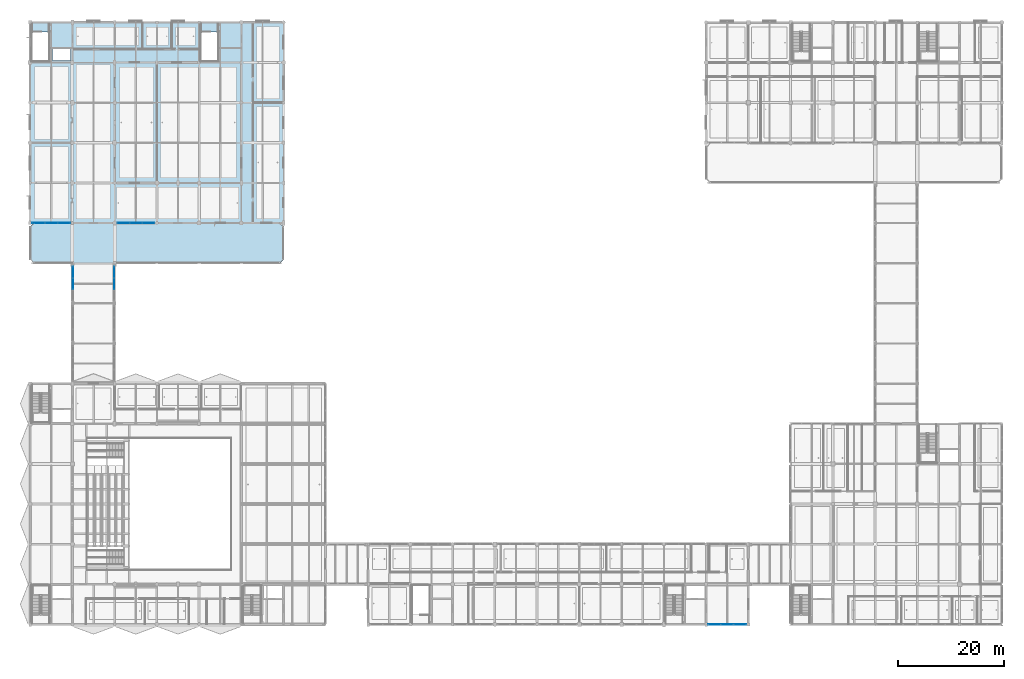
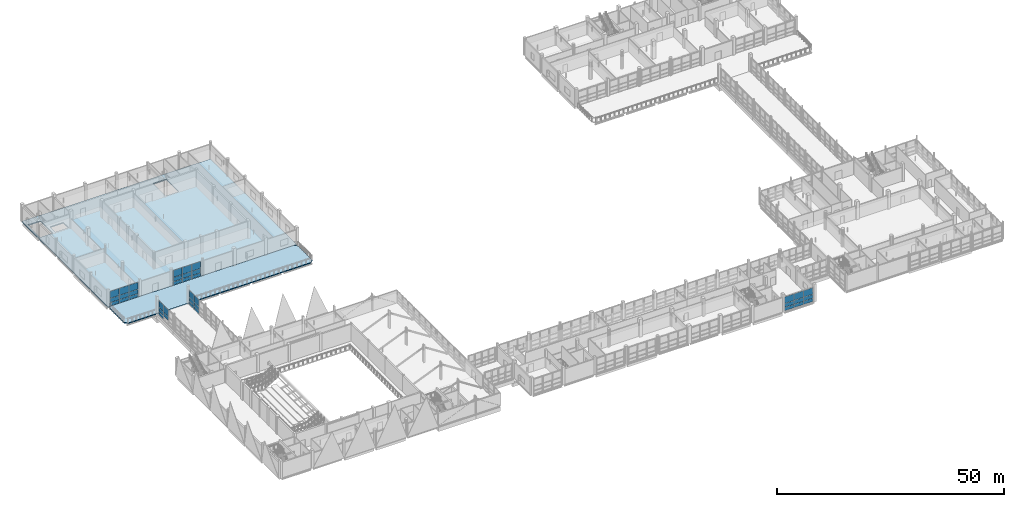
# One storey, part 76 of 141: 38 plates, 2 slabs, 5 elements without a shape of their own.
"""IFC4 building model written with IfcOpenShell, lengths in metres."""

import ifcopenshell
import ifcopenshell.guid

model = None  # the IFC model being written
_history = None  # IfcOwnerHistory: only IFC2X3 demands one
_inside = {}  # id of a spatial element -> (the spatial element, [elements in it])
_under = {}  # id of a project, library or spatial element -> (it, [spatial elements below it])
_declared = {}  # id of a project -> (the project, [libraries it declares])
_typed = {}  # id of a type object -> (the type object, [elements of that type])
_made_of = {}  # id of a material, layer set ... -> (it, [elements and type objects made of it])


def new_model(schema):
    """Start an empty IFC model of exactly this schema.

    Asked for "IFC4X3", IfcOpenShell would pick the latest addendum, in which some entities
    have other attributes; the version numbers below select the first issue.
    IFC2X3 requires an IfcOwnerHistory on every rooted entity: one is made here for all.
    """
    global model, _history
    if schema == "IFC4X3":
        model = ifcopenshell.file(schema_version=(4, 3, 0, 0))
    else:
        model = ifcopenshell.file(schema=schema)
    _inside.clear()
    _under.clear()
    _declared.clear()
    _typed.clear()
    _made_of.clear()
    _history = None
    if model.schema == "IFC2X3":
        org = make("IfcOrganization", Name="unknown")
        user = make(
            "IfcPersonAndOrganization",
            ThePerson=make("IfcPerson", FamilyName="unknown"),
            TheOrganization=org,
        )
        app = make(
            "IfcApplication",
            ApplicationDeveloper=org,
            Version="unknown",
            ApplicationFullName="unknown",
            ApplicationIdentifier="unknown",
        )
        _history = make(
            "IfcOwnerHistory",
            OwningUser=user,
            OwningApplication=app,
            ChangeAction="ADDED",
            CreationDate=0,
        )
    return model


def make(cls, **values):
    """One entity of the class cls with the attributes given. An attribute that is None is left unset."""
    return model.create_entity(
        cls, **{name: value for name, value in values.items() if value is not None}
    )


def rooted(cls, **values):
    """An entity with a GlobalId (a new one), such as an element, a storey or a relation."""
    return make(cls, GlobalId=ifcopenshell.guid.new(), OwnerHistory=_history, **values)


def si_unit(unit_type, name, prefix=None):
    """IfcSIUnit, for example si_unit("LENGTHUNIT", "METRE", prefix="MILLI")."""
    return make("IfcSIUnit", UnitType=unit_type, Prefix=prefix, Name=name)


def assignment(units):
    """IfcUnitAssignment: the units of a project."""
    return None if units is None else make("IfcUnitAssignment", Units=units)


def point(xyz):
    """IfcCartesianPoint."""
    return None if xyz is None else make("IfcCartesianPoint", Coordinates=xyz)


def direction(xyz):
    """IfcDirection."""
    return None if xyz is None else make("IfcDirection", DirectionRatios=xyz)


def frame(location, z_axis=None, x_axis=None):
    """IfcAxis2Placement3D, a coordinate frame: its origin and axes. An axis left out is left unset."""
    return make(
        "IfcAxis2Placement3D",
        Location=point(location),
        Axis=direction(z_axis),
        RefDirection=direction(x_axis),
    )


def frame_2d(location, x_axis=None):
    """IfcAxis2Placement2D, a coordinate frame in the plane: its origin and x axis."""
    return make(
        "IfcAxis2Placement2D", Location=point(location), RefDirection=direction(x_axis)
    )


def origin():
    """The frame at (0, 0, 0) with its axes left unset."""
    return frame((0.0, 0.0, 0.0))


def origin_2d():
    """The frame at (0, 0) in the plane with its x axis left unset."""
    return frame_2d((0.0, 0.0))


def place(relative_to, where):
    """IfcLocalPlacement: puts the frame where relative to a parent placement (None: the world)."""
    return make(
        "IfcLocalPlacement", PlacementRelTo=relative_to, RelativePlacement=where
    )


def context(
    kind, dimensions, precision=None, world=None, true_north=None, identifier=None
):
    """IfcGeometricRepresentationContext, for example the 3D "Model" context."""
    return make(
        "IfcGeometricRepresentationContext",
        ContextIdentifier=identifier,
        ContextType=kind,
        CoordinateSpaceDimension=dimensions,
        Precision=precision,
        WorldCoordinateSystem=world,
        TrueNorth=true_north,
    )


def subcontext(parent, identifier, kind, view, scale=None):
    """IfcGeometricRepresentationSubContext, for example "Body" below "Model"."""
    return make(
        "IfcGeometricRepresentationSubContext",
        ContextIdentifier=identifier,
        ContextType=kind,
        ParentContext=parent,
        TargetScale=scale,
        TargetView=view,
    )


def project(units=None, contexts=None):
    """IfcProject with its units and contexts."""
    return rooted(
        "IfcProject",
        Name="project",
        RepresentationContexts=contexts,
        UnitsInContext=assignment(units),
    )


def spatial(cls, under=None, at=None, **own):
    """A site, building, storey or space (cls), placed at a placement, below another one or the project."""
    s = rooted(cls, ObjectPlacement=at, **own)
    if under is not None:
        _under.setdefault(under.id(), (under, []))[1].append(s)
    return s


def polyline(points):
    """IfcPolyline through the points."""
    return make("IfcPolyline", Points=[point(p) for p in points])


def profile(cls, at=None, kind="AREA", **sizes):
    """A parametric profile (cls). Its sizes go by their IFC names, for example OverallWidth=200.0."""
    return make(cls, ProfileType=kind, Position=at, **sizes)


def rectangle(**sizes):
    """IfcRectangleProfileDef."""
    return profile("IfcRectangleProfileDef", **sizes)


def outline(outer, holes=None, kind="AREA"):
    """IfcArbitraryClosedProfileDef: a profile drawn as a closed curve; with holes, ...WithVoids."""
    if holes is None:
        return make("IfcArbitraryClosedProfileDef", ProfileType=kind, OuterCurve=outer)
    return make(
        "IfcArbitraryProfileDefWithVoids",
        ProfileType=kind,
        OuterCurve=outer,
        InnerCurves=holes,
    )


def extrude(swept, where, along, depth):
    """IfcExtrudedAreaSolid: the profile swept, set in the frame where, extruded along a direction by depth."""
    return make(
        "IfcExtrudedAreaSolid",
        SweptArea=swept,
        Position=where,
        ExtrudedDirection=direction(along),
        Depth=depth,
    )


def shape(context_of_items, identifier, shape_type, items):
    """IfcShapeRepresentation: the items that make up one representation, for example the "Body"."""
    return make(
        "IfcShapeRepresentation",
        ContextOfItems=context_of_items,
        RepresentationIdentifier=identifier,
        RepresentationType=shape_type,
        Items=items,
    )


def material(Name=None, Category=None):
    """IfcMaterial."""
    return make("IfcMaterial", Name=Name, Category=Category)


def layer(
    of_material, thickness, ventilated=None, Name=None, Category=None, Priority=None
):
    """IfcMaterialLayer: one layer of a wall or slab, of a material (None: an air gap)."""
    return make(
        "IfcMaterialLayer",
        Material=of_material,
        LayerThickness=thickness,
        IsVentilated=ventilated,
        Name=Name,
        Category=Category,
        Priority=Priority,
    )


def layer_set(layers, Name=None):
    """IfcMaterialLayerSet."""
    return make("IfcMaterialLayerSet", MaterialLayers=layers, LayerSetName=Name)


def made_of(thing, what):
    """Note that an element or type object is made of a material, layer set ...; save() writes the relation."""
    if what is not None:
        _made_of.setdefault(what.id(), (what, []))[1].append(thing)
    return thing


def type_object(cls, material=None, **own):
    """A type object (cls), such as IfcWallType, which elements share."""
    return made_of(rooted(cls, **own), material)


def element(
    cls,
    number,
    at=None,
    inside=None,
    cuts=None,
    type_object=None,
    material=None,
    context=None,
    identifier="Body",
    shape_type=None,
    held_by="IfcProductDefinitionShape",
    body=None,
    shapes=None,
    **own,
):
    """One element of the class cls, such as IfcWall. Its Tag is "e" and its number.

    at: its placement. inside: the storey or other place that contains it. cuts: it is an
    opening in that element (IfcRelVoidsElement). A single representation is given by context,
    identifier, shape_type and body (its items); several are given by shapes. held_by: the class
    of the entity that holds the representations. save() writes the other relations.
    """
    e = rooted(cls, Tag="e%d" % number, ObjectPlacement=at, **own)
    if body is not None:
        shapes = [shape(context, identifier, shape_type, body)]
    if shapes is not None:
        e.Representation = make(held_by, Representations=shapes)
    if inside is not None:
        _inside.setdefault(inside.id(), (inside, []))[1].append(e)
    if cuts is not None:
        rooted(
            "IfcRelVoidsElement", RelatingBuildingElement=cuts, RelatedOpeningElement=e
        )
    if type_object is not None:
        _typed.setdefault(type_object.id(), (type_object, []))[1].append(e)
    return made_of(e, material)


def aggregate(whole, parts):
    """IfcRelAggregates: a whole, such as a stair, and the parts it consists of."""
    return rooted("IfcRelAggregates", RelatingObject=whole, RelatedObjects=parts)


def save(model, path):
    """Write the relations noted so far, then the file.

    IfcRelAggregates (storeys below a building ...), IfcRelContainedInSpatialStructure (elements
    in a storey), IfcRelDefinesByType, IfcRelAssociatesMaterial and IfcRelDeclares: one each for
    every whole, place, type object, material and project.
    """
    for whole, parts in _under.values():
        aggregate(whole, parts)
    for where, things in _inside.values():
        rooted(
            "IfcRelContainedInSpatialStructure",
            RelatedElements=things,
            RelatingStructure=where,
        )
    for kind, things in _typed.values():
        rooted("IfcRelDefinesByType", RelatedObjects=things, RelatingType=kind)
    for what, things in _made_of.values():
        rooted("IfcRelAssociatesMaterial", RelatedObjects=things, RelatingMaterial=what)
    for by, libraries in _declared.values():
        rooted("IfcRelDeclares", RelatingContext=by, RelatedDefinitions=libraries)
    model.write(path)


model = new_model("IFC4")

# Units and contexts
model_context = context("Model", 3, precision=1e-05, world=origin(), true_north=direction((0.0, 1.0)))
body_context = subcontext(model_context, "Body", "Model", "MODEL_VIEW")
ifc_project = project(units=[si_unit("LENGTHUNIT", "METRE"), si_unit("AREAUNIT", "SQUARE_METRE"), si_unit("VOLUMEUNIT", "CUBIC_METRE"), si_unit("PLANEANGLEUNIT", "RADIAN"), si_unit("MASSUNIT", "GRAM", prefix="KILO")], contexts=[model_context])

# Site, building, storey
site_placement = place(None, origin())
site = spatial("IfcSite", under=ifc_project, at=site_placement, CompositionType="ELEMENT")
building_placement = place(site_placement, origin())
building = spatial("IfcBuilding", under=site, at=building_placement, Name="Khelvaren Railside Concert Hall", CompositionType="ELEMENT")
storey_placement = place(building_placement, frame((0.0, 0.0, 10.199951171875)))
storey = spatial("IfcBuildingStorey", under=building, at=storey_placement, Name="L02", CompositionType="ELEMENT", Elevation=10.199951171875)

# Curtain wall, plates
ifc_material_1 = material(Name="Double-glazed clear foyer glass", Category="glass")
curtain_wall_type_1 = type_object("IfcCurtainWallType", Name="CW68", PredefinedType="USERDEFINED", material=ifc_material_1)
curtain_wall_1_placement = place(storey_placement, origin())
curtain_wall_1 = element("IfcCurtainWall", 1, at=curtain_wall_1_placement, inside=storey, type_object=curtain_wall_type_1, Name="Unitised Curtain Wall CW-V3-L02-S-128", ObjectType="UNITISED CURTAIN WALL", PredefinedType="USERDEFINED")
ifc_layer_1 = layer(ifc_material_1, 0.0439453125)
ifc_layer_set_1 = layer_set([ifc_layer_1], Name="Double-glazed clear foyer glass")
plate_type_1 = type_object("IfcPlateType", Name="CWP33", PredefinedType="CURTAIN_PANEL", material=ifc_layer_set_1)
plate_1_placement = place(storey_placement, frame((134.391357421875, 0.0, 0.06494140625), z_axis=(0.0, 0.0, 1.0), x_axis=(-1.0, 0.0, 0.0)))
plate_1 = element("IfcPlate", 2, at=plate_1_placement, type_object=plate_type_1, Name="CW68 panel 1.1", PredefinedType="CURTAIN_PANEL", context=body_context, shape_type="SweptSolid", body=[
    extrude(rectangle(XDim=2.322509765625, YDim=0.0439453125, at=origin_2d()), origin(), (0.0, 0.0, 1.0), 0.8525390625),
])
plate_2_placement = place(storey_placement, frame((134.391357421875, 0.0, 0.982666015625), z_axis=(0.0, 0.0, 1.0), x_axis=(-1.0, 0.0, 0.0)))
plate_2 = element("IfcPlate", 3, at=plate_2_placement, type_object=plate_type_1, Name="CW68 panel 1.2", PredefinedType="CURTAIN_PANEL", context=body_context, shape_type="SweptSolid", body=[
    extrude(rectangle(XDim=2.322509765625, YDim=0.0439453125, at=origin_2d()), origin(), (0.0, 0.0, 1.0), 0.9921875),
])
plate_3_placement = place(storey_placement, frame((134.391357421875, 0.0, 2.039794921875), z_axis=(0.0, 0.0, 1.0), x_axis=(-1.0, 0.0, 0.0)))
plate_3 = element("IfcPlate", 4, at=plate_3_placement, type_object=plate_type_1, Name="CW68 panel 1.3", PredefinedType="CURTAIN_PANEL", context=body_context, shape_type="SweptSolid", body=[
    extrude(rectangle(XDim=2.322509765625, YDim=0.0439453125, at=origin_2d()), origin(), (0.0, 0.0, 1.0), 1.75537109375),
])
plate_4_placement = place(storey_placement, frame((131.97509765625, 0.0, 0.06494140625), z_axis=(0.0, 0.0, 1.0), x_axis=(-1.0, 0.0, 0.0)))
plate_4 = element("IfcPlate", 5, at=plate_4_placement, type_object=plate_type_1, Name="CW68 panel 2.1", PredefinedType="CURTAIN_PANEL", context=body_context, shape_type="SweptSolid", body=[
    extrude(rectangle(XDim=2.360107421875, YDim=0.0439453125, at=origin_2d()), origin(), (0.0, 0.0, 1.0), 0.8525390625),
])
plate_5_placement = place(storey_placement, frame((131.97509765625, 0.0, 0.982666015625), z_axis=(0.0, 0.0, 1.0), x_axis=(-1.0, 0.0, 0.0)))
plate_5 = element("IfcPlate", 6, at=plate_5_placement, type_object=plate_type_1, Name="CW68 panel 2.2", PredefinedType="CURTAIN_PANEL", context=body_context, shape_type="SweptSolid", body=[
    extrude(rectangle(XDim=2.360107421875, YDim=0.0439453125, at=origin_2d()), origin(), (0.0, 0.0, 1.0), 0.9921875),
])
plate_6_placement = place(storey_placement, frame((131.97509765625, 0.0, 2.039794921875), z_axis=(0.0, 0.0, 1.0), x_axis=(-1.0, 0.0, 0.0)))
plate_6 = element("IfcPlate", 7, at=plate_6_placement, type_object=plate_type_1, Name="CW68 panel 2.3", PredefinedType="CURTAIN_PANEL", context=body_context, shape_type="SweptSolid", body=[
    extrude(rectangle(XDim=2.360107421875, YDim=0.0439453125, at=origin_2d()), origin(), (0.0, 0.0, 1.0), 1.75537109375),
])
plate_7_placement = place(storey_placement, frame((129.558837890625, 0.0, 0.06494140625), z_axis=(0.0, 0.0, 1.0), x_axis=(-1.0, 0.0, 0.0)))
plate_7 = element("IfcPlate", 8, at=plate_7_placement, type_object=plate_type_1, Name="CW68 panel 3.1", PredefinedType="CURTAIN_PANEL", context=body_context, shape_type="SweptSolid", body=[
    extrude(rectangle(XDim=2.322509765625, YDim=0.0439453125, at=origin_2d()), origin(), (0.0, 0.0, 1.0), 0.8525390625),
])
plate_8_placement = place(storey_placement, frame((129.558837890625, 0.0, 0.982666015625), z_axis=(0.0, 0.0, 1.0), x_axis=(-1.0, 0.0, 0.0)))
plate_8 = element("IfcPlate", 9, at=plate_8_placement, type_object=plate_type_1, Name="CW68 panel 3.2", PredefinedType="CURTAIN_PANEL", context=body_context, shape_type="SweptSolid", body=[
    extrude(rectangle(XDim=2.322509765625, YDim=0.0439453125, at=origin_2d()), origin(), (0.0, 0.0, 1.0), 0.9921875),
])
plate_9_placement = place(storey_placement, frame((129.558837890625, 0.0, 2.039794921875), z_axis=(0.0, 0.0, 1.0), x_axis=(-1.0, 0.0, 0.0)))
plate_9 = element("IfcPlate", 10, at=plate_9_placement, type_object=plate_type_1, Name="CW68 panel 3.3", PredefinedType="CURTAIN_PANEL", context=body_context, shape_type="SweptSolid", body=[
    extrude(rectangle(XDim=2.322509765625, YDim=0.0439453125, at=origin_2d()), origin(), (0.0, 0.0, 1.0), 1.75537109375),
])
aggregate(curtain_wall_1, [plate_1, plate_2, plate_3, plate_4, plate_5, plate_6, plate_7, plate_8, plate_9])

curtain_wall_type_2 = type_object("IfcCurtainWallType", Name="CW83", PredefinedType="USERDEFINED", material=ifc_material_1)
curtain_wall_2_placement = place(storey_placement, origin())
curtain_wall_2 = element("IfcCurtainWall", 11, at=curtain_wall_2_placement, inside=storey, type_object=curtain_wall_type_2, Name="Unitised Curtain Wall CW-V4-L02-S-0", ObjectType="UNITISED CURTAIN WALL", PredefinedType="USERDEFINED")
plate_10_placement = place(storey_placement, frame((6.441162109375, 76.0, 0.06494140625), z_axis=(0.0, 0.0, 1.0), x_axis=(-1.0, 0.0, 0.0)))
plate_10 = element("IfcPlate", 12, at=plate_10_placement, type_object=plate_type_1, Name="CW83 panel 1.1", PredefinedType="CURTAIN_PANEL", context=body_context, shape_type="SweptSolid", body=[
    extrude(rectangle(XDim=2.322509765625, YDim=0.0439453125, at=origin_2d()), origin(), (0.0, 0.0, 1.0), 0.8525390625),
])
plate_11_placement = place(storey_placement, frame((6.441162109375, 76.0, 0.982666015625), z_axis=(0.0, 0.0, 1.0), x_axis=(-1.0, 0.0, 0.0)))
plate_11 = element("IfcPlate", 13, at=plate_11_placement, type_object=plate_type_1, Name="CW83 panel 1.2", PredefinedType="CURTAIN_PANEL", context=body_context, shape_type="SweptSolid", body=[
    extrude(rectangle(XDim=2.322509765625, YDim=0.0439453125, at=origin_2d()), origin(), (0.0, 0.0, 1.0), 1.09619140625),
])
plate_12_placement = place(storey_placement, frame((6.441162109375, 76.0, 2.1435546875), z_axis=(0.0, 0.0, 1.0), x_axis=(-1.0, 0.0, 0.0)))
plate_12 = element("IfcPlate", 14, at=plate_12_placement, type_object=plate_type_1, Name="CW83 panel 1.3", PredefinedType="CURTAIN_PANEL", context=body_context, shape_type="SweptSolid", body=[
    extrude(rectangle(XDim=2.322509765625, YDim=0.0439453125, at=origin_2d()), origin(), (0.0, 0.0, 1.0), 1.851318359375),
])
plate_13_placement = place(storey_placement, frame((4.02490234375, 76.0, 0.06494140625), z_axis=(0.0, 0.0, 1.0), x_axis=(-1.0, 0.0, 0.0)))
plate_13 = element("IfcPlate", 15, at=plate_13_placement, type_object=plate_type_1, Name="CW83 panel 2.1", PredefinedType="CURTAIN_PANEL", context=body_context, shape_type="SweptSolid", body=[
    extrude(rectangle(XDim=2.360107421875, YDim=0.0439453125, at=origin_2d()), origin(), (0.0, 0.0, 1.0), 0.8525390625),
])
plate_14_placement = place(storey_placement, frame((4.02490234375, 76.0, 0.982666015625), z_axis=(0.0, 0.0, 1.0), x_axis=(-1.0, 0.0, 0.0)))
plate_14 = element("IfcPlate", 16, at=plate_14_placement, type_object=plate_type_1, Name="CW83 panel 2.2", PredefinedType="CURTAIN_PANEL", context=body_context, shape_type="SweptSolid", body=[
    extrude(rectangle(XDim=2.360107421875, YDim=0.0439453125, at=origin_2d()), origin(), (0.0, 0.0, 1.0), 1.09619140625),
])
plate_15_placement = place(storey_placement, frame((4.02490234375, 76.0, 2.1435546875), z_axis=(0.0, 0.0, 1.0), x_axis=(-1.0, 0.0, 0.0)))
plate_15 = element("IfcPlate", 17, at=plate_15_placement, type_object=plate_type_1, Name="CW83 panel 2.3", PredefinedType="CURTAIN_PANEL", context=body_context, shape_type="SweptSolid", body=[
    extrude(rectangle(XDim=2.360107421875, YDim=0.0439453125, at=origin_2d()), origin(), (0.0, 0.0, 1.0), 1.851318359375),
])
plate_16_placement = place(storey_placement, frame((1.608642578125, 76.0, 0.06494140625), z_axis=(0.0, 0.0, 1.0), x_axis=(-1.0, 0.0, 0.0)))
plate_16 = element("IfcPlate", 18, at=plate_16_placement, type_object=plate_type_1, Name="CW83 panel 3.1", PredefinedType="CURTAIN_PANEL", context=body_context, shape_type="SweptSolid", body=[
    extrude(rectangle(XDim=2.322509765625, YDim=0.0439453125, at=origin_2d()), origin(), (0.0, 0.0, 1.0), 0.8525390625),
])
plate_17_placement = place(storey_placement, frame((1.608642578125, 76.0, 0.982666015625), z_axis=(0.0, 0.0, 1.0), x_axis=(-1.0, 0.0, 0.0)))
plate_17 = element("IfcPlate", 19, at=plate_17_placement, type_object=plate_type_1, Name="CW83 panel 3.2", PredefinedType="CURTAIN_PANEL", context=body_context, shape_type="SweptSolid", body=[
    extrude(rectangle(XDim=2.322509765625, YDim=0.0439453125, at=origin_2d()), origin(), (0.0, 0.0, 1.0), 1.09619140625),
])
plate_18_placement = place(storey_placement, frame((1.608642578125, 76.0, 2.1435546875), z_axis=(0.0, 0.0, 1.0), x_axis=(-1.0, 0.0, 0.0)))
plate_18 = element("IfcPlate", 20, at=plate_18_placement, type_object=plate_type_1, Name="CW83 panel 3.3", PredefinedType="CURTAIN_PANEL", context=body_context, shape_type="SweptSolid", body=[
    extrude(rectangle(XDim=2.322509765625, YDim=0.0439453125, at=origin_2d()), origin(), (0.0, 0.0, 1.0), 1.851318359375),
])
aggregate(curtain_wall_2, [plate_10, plate_11, plate_12, plate_13, plate_14, plate_15, plate_16, plate_17, plate_18])

curtain_wall_type_3 = type_object("IfcCurtainWallType", Name="CW64", PredefinedType="USERDEFINED", material=ifc_material_1)
curtain_wall_3_placement = place(storey_placement, origin())
curtain_wall_3 = element("IfcCurtainWall", 21, at=curtain_wall_3_placement, inside=storey, type_object=curtain_wall_type_3, Name="Unitised Curtain Wall CW-V4-L02-S-16", ObjectType="UNITISED CURTAIN WALL", PredefinedType="USERDEFINED")
plate_19_placement = place(storey_placement, frame((22.3955078125, 76.0, 0.06494140625), z_axis=(0.0, 0.0, 1.0), x_axis=(-1.0, 0.0, 0.0)))
plate_19 = element("IfcPlate", 22, at=plate_19_placement, type_object=plate_type_1, Name="CW64 panel 1.1", PredefinedType="CURTAIN_PANEL", context=body_context, shape_type="SweptSolid", body=[
    extrude(rectangle(XDim=2.26416015625, YDim=0.0439453125, at=origin_2d()), origin(), (0.0, 0.0, 1.0), 0.8525390625),
])
plate_20_placement = place(storey_placement, frame((22.3955078125, 76.0, 0.982666015625), z_axis=(0.0, 0.0, 1.0), x_axis=(-1.0, 0.0, 0.0)))
plate_20 = element("IfcPlate", 23, at=plate_20_placement, type_object=plate_type_1, Name="CW64 panel 1.2", PredefinedType="CURTAIN_PANEL", context=body_context, shape_type="SweptSolid", body=[
    extrude(rectangle(XDim=2.26416015625, YDim=0.0439453125, at=origin_2d()), origin(), (0.0, 0.0, 1.0), 1.09619140625),
])
plate_21_placement = place(storey_placement, frame((22.3955078125, 76.0, 2.1435546875), z_axis=(0.0, 0.0, 1.0), x_axis=(-1.0, 0.0, 0.0)))
plate_21 = element("IfcPlate", 24, at=plate_21_placement, type_object=plate_type_1, Name="CW64 panel 1.3", PredefinedType="CURTAIN_PANEL", context=body_context, shape_type="SweptSolid", body=[
    extrude(rectangle(XDim=2.26416015625, YDim=0.0439453125, at=origin_2d()), origin(), (0.0, 0.0, 1.0), 1.851318359375),
])
plate_22_placement = place(storey_placement, frame((20.03759765625, 76.0, 0.06494140625), z_axis=(0.0, 0.0, 1.0), x_axis=(-1.0, 0.0, 0.0)))
plate_22 = element("IfcPlate", 25, at=plate_22_placement, type_object=plate_type_1, Name="CW64 panel 2.1", PredefinedType="CURTAIN_PANEL", context=body_context, shape_type="SweptSolid", body=[
    extrude(rectangle(XDim=2.3017578125, YDim=0.0439453125, at=origin_2d()), origin(), (0.0, 0.0, 1.0), 0.8525390625),
])
plate_23_placement = place(storey_placement, frame((20.03759765625, 76.0, 0.982666015625), z_axis=(0.0, 0.0, 1.0), x_axis=(-1.0, 0.0, 0.0)))
plate_23 = element("IfcPlate", 26, at=plate_23_placement, type_object=plate_type_1, Name="CW64 panel 2.2", PredefinedType="CURTAIN_PANEL", context=body_context, shape_type="SweptSolid", body=[
    extrude(rectangle(XDim=2.3017578125, YDim=0.0439453125, at=origin_2d()), origin(), (0.0, 0.0, 1.0), 1.09619140625),
])
plate_24_placement = place(storey_placement, frame((20.03759765625, 76.0, 2.1435546875), z_axis=(0.0, 0.0, 1.0), x_axis=(-1.0, 0.0, 0.0)))
plate_24 = element("IfcPlate", 27, at=plate_24_placement, type_object=plate_type_1, Name="CW64 panel 2.3", PredefinedType="CURTAIN_PANEL", context=body_context, shape_type="SweptSolid", body=[
    extrude(rectangle(XDim=2.3017578125, YDim=0.0439453125, at=origin_2d()), origin(), (0.0, 0.0, 1.0), 1.851318359375),
])
plate_25_placement = place(storey_placement, frame((17.6796875, 76.0, 0.06494140625), z_axis=(0.0, 0.0, 1.0), x_axis=(-1.0, 0.0, 0.0)))
plate_25 = element("IfcPlate", 28, at=plate_25_placement, type_object=plate_type_1, Name="CW64 panel 3.1", PredefinedType="CURTAIN_PANEL", context=body_context, shape_type="SweptSolid", body=[
    extrude(rectangle(XDim=2.26416015625, YDim=0.0439453125, at=origin_2d()), origin(), (0.0, 0.0, 1.0), 0.8525390625),
])
plate_26_placement = place(storey_placement, frame((17.6796875, 76.0, 0.982666015625), z_axis=(0.0, 0.0, 1.0), x_axis=(-1.0, 0.0, 0.0)))
plate_26 = element("IfcPlate", 29, at=plate_26_placement, type_object=plate_type_1, Name="CW64 panel 3.2", PredefinedType="CURTAIN_PANEL", context=body_context, shape_type="SweptSolid", body=[
    extrude(rectangle(XDim=2.26416015625, YDim=0.0439453125, at=origin_2d()), origin(), (0.0, 0.0, 1.0), 1.09619140625),
])
plate_27_placement = place(storey_placement, frame((17.6796875, 76.0, 2.1435546875), z_axis=(0.0, 0.0, 1.0), x_axis=(-1.0, 0.0, 0.0)))
plate_27 = element("IfcPlate", 30, at=plate_27_placement, type_object=plate_type_1, Name="CW64 panel 3.3", PredefinedType="CURTAIN_PANEL", context=body_context, shape_type="SweptSolid", body=[
    extrude(rectangle(XDim=2.26416015625, YDim=0.0439453125, at=origin_2d()), origin(), (0.0, 0.0, 1.0), 1.851318359375),
])
aggregate(curtain_wall_3, [plate_19, plate_20, plate_21, plate_22, plate_23, plate_24, plate_25, plate_26, plate_27])

ifc_material_2 = material(Name="Acoustic laminated crystal facade glass", Category="glass")
curtain_wall_type_4 = type_object("IfcCurtainWallType", Name="CW78", PredefinedType="USERDEFINED", material=ifc_material_2)
curtain_wall_4_placement = place(storey_placement, origin())
curtain_wall_4 = element("IfcCurtainWall", 31, at=curtain_wall_4_placement, inside=storey, type_object=curtain_wall_type_4, Name="Unitised Curtain Wall CW-LB3-L02-W3", ObjectType="UNITISED CURTAIN WALL", PredefinedType="USERDEFINED")
ifc_layer_2 = layer(ifc_material_2, 0.0400390625)
ifc_layer_set_2 = layer_set([ifc_layer_2], Name="Acoustic laminated crystal facade glass")
plate_type_2 = type_object("IfcPlateType", Name="CWP77", PredefinedType="CURTAIN_PANEL", material=ifc_layer_set_2)
plate_28_placement = place(storey_placement, frame((8.10009765625, 64.52490234375, 0.992431640625), z_axis=(0.0, 0.0, 1.0), x_axis=(0.0, 1.0, 0.0)))
plate_28 = element("IfcPlate", 32, at=plate_28_placement, type_object=plate_type_2, Name="CW78 panel 2.2", PredefinedType="CURTAIN_PANEL", context=body_context, shape_type="SweptSolid", body=[
    extrude(rectangle(XDim=2.078369140625, YDim=0.0400390625, at=origin_2d()), origin(), (0.0, 0.0, 1.0), 1.03466796875),
])
plate_29_placement = place(storey_placement, frame((8.10009765625, 64.52490234375, 2.1123046875), z_axis=(0.0, 0.0, 1.0), x_axis=(0.0, 1.0, 0.0)))
plate_29 = element("IfcPlate", 33, at=plate_29_placement, type_object=plate_type_2, Name="CW78 panel 2.3", PredefinedType="CURTAIN_PANEL", context=body_context, shape_type="SweptSolid", body=[
    extrude(rectangle(XDim=2.078369140625, YDim=0.0400390625, at=origin_2d()), origin(), (0.0, 0.0, 1.0), 1.782958984375),
])
plate_30_placement = place(storey_placement, frame((8.10009765625, 66.6669921875, 0.0849609375), z_axis=(0.0, 0.0, 1.0), x_axis=(0.0, 1.0, 0.0)))
plate_30 = element("IfcPlate", 34, at=plate_30_placement, type_object=plate_type_2, Name="CW78 panel 3.1", PredefinedType="CURTAIN_PANEL", context=body_context, shape_type="SweptSolid", body=[
    extrude(rectangle(XDim=2.035888671875, YDim=0.0400390625, at=origin_2d()), origin(), (0.0, 0.0, 1.0), 0.822509765625),
])
plate_31_placement = place(storey_placement, frame((8.10009765625, 66.6669921875, 0.992431640625), z_axis=(0.0, 0.0, 1.0), x_axis=(0.0, 1.0, 0.0)))
plate_31 = element("IfcPlate", 35, at=plate_31_placement, type_object=plate_type_2, Name="CW78 panel 3.2", PredefinedType="CURTAIN_PANEL", context=body_context, shape_type="SweptSolid", body=[
    extrude(rectangle(XDim=2.035888671875, YDim=0.0400390625, at=origin_2d()), origin(), (0.0, 0.0, 1.0), 1.03466796875),
])
plate_32_placement = place(storey_placement, frame((8.10009765625, 66.6669921875, 2.1123046875), z_axis=(0.0, 0.0, 1.0), x_axis=(0.0, 1.0, 0.0)))
plate_32 = element("IfcPlate", 36, at=plate_32_placement, type_object=plate_type_2, Name="CW78 panel 3.3", PredefinedType="CURTAIN_PANEL", context=body_context, shape_type="SweptSolid", body=[
    extrude(rectangle(XDim=2.035888671875, YDim=0.0400390625, at=origin_2d()), origin(), (0.0, 0.0, 1.0), 1.782958984375),
])
aggregate(curtain_wall_4, [plate_28, plate_29, plate_30, plate_31, plate_32])

curtain_wall_5_placement = place(storey_placement, origin())
curtain_wall_5 = element("IfcCurtainWall", 37, at=curtain_wall_5_placement, inside=storey, type_object=curtain_wall_type_4, Name="Unitised Curtain Wall CW-LB3-L02-E3", ObjectType="UNITISED CURTAIN WALL", PredefinedType="USERDEFINED")
plate_33_placement = place(storey_placement, frame((15.89990234375, 66.6669921875, 0.0849609375), z_axis=(0.0, 0.0, 1.0), x_axis=(0.0, -1.0, 0.0)))
plate_33 = element("IfcPlate", 38, at=plate_33_placement, type_object=plate_type_2, Name="CW78 panel 1.1", PredefinedType="CURTAIN_PANEL", context=body_context, shape_type="SweptSolid", body=[
    extrude(rectangle(XDim=2.035888671875, YDim=0.0400390625, at=origin_2d()), origin(), (0.0, 0.0, 1.0), 0.822509765625),
])
plate_34_placement = place(storey_placement, frame((15.89990234375, 66.6669921875, 0.992431640625), z_axis=(0.0, 0.0, 1.0), x_axis=(0.0, -1.0, 0.0)))
plate_34 = element("IfcPlate", 39, at=plate_34_placement, type_object=plate_type_2, Name="CW78 panel 1.2", PredefinedType="CURTAIN_PANEL", context=body_context, shape_type="SweptSolid", body=[
    extrude(rectangle(XDim=2.035888671875, YDim=0.0400390625, at=origin_2d()), origin(), (0.0, 0.0, 1.0), 1.03466796875),
])
plate_35_placement = place(storey_placement, frame((15.89990234375, 66.6669921875, 2.1123046875), z_axis=(0.0, 0.0, 1.0), x_axis=(0.0, -1.0, 0.0)))
plate_35 = element("IfcPlate", 40, at=plate_35_placement, type_object=plate_type_2, Name="CW78 panel 1.3", PredefinedType="CURTAIN_PANEL", context=body_context, shape_type="SweptSolid", body=[
    extrude(rectangle(XDim=2.035888671875, YDim=0.0400390625, at=origin_2d()), origin(), (0.0, 0.0, 1.0), 1.782958984375),
])
plate_36_placement = place(storey_placement, frame((15.89990234375, 64.52490234375, 0.0849609375), z_axis=(0.0, 0.0, 1.0), x_axis=(0.0, -1.0, 0.0)))
plate_36 = element("IfcPlate", 41, at=plate_36_placement, type_object=plate_type_2, Name="CW78 panel 2.1", PredefinedType="CURTAIN_PANEL", context=body_context, shape_type="SweptSolid", body=[
    extrude(rectangle(XDim=2.078369140625, YDim=0.0400390625, at=origin_2d()), origin(), (0.0, 0.0, 1.0), 0.822509765625),
])
plate_37_placement = place(storey_placement, frame((15.89990234375, 64.52490234375, 0.992431640625), z_axis=(0.0, 0.0, 1.0), x_axis=(0.0, -1.0, 0.0)))
plate_37 = element("IfcPlate", 42, at=plate_37_placement, type_object=plate_type_2, Name="CW78 panel 2.2", PredefinedType="CURTAIN_PANEL", context=body_context, shape_type="SweptSolid", body=[
    extrude(rectangle(XDim=2.078369140625, YDim=0.0400390625, at=origin_2d()), origin(), (0.0, 0.0, 1.0), 1.03466796875),
])
plate_38_placement = place(storey_placement, frame((15.89990234375, 64.52490234375, 2.1123046875), z_axis=(0.0, 0.0, 1.0), x_axis=(0.0, -1.0, 0.0)))
plate_38 = element("IfcPlate", 43, at=plate_38_placement, type_object=plate_type_2, Name="CW78 panel 2.3", PredefinedType="CURTAIN_PANEL", context=body_context, shape_type="SweptSolid", body=[
    extrude(rectangle(XDim=2.078369140625, YDim=0.0400390625, at=origin_2d()), origin(), (0.0, 0.0, 1.0), 1.782958984375),
])
aggregate(curtain_wall_5, [plate_33, plate_34, plate_35, plate_36, plate_37, plate_38])

# Slabs
ifc_material_3 = material(Name="Concrete C40/50", Category="concrete")
ifc_layer_3 = layer(ifc_material_3, 0.2900390625)
ifc_layer_set_3 = layer_set([ifc_layer_3], Name="Concrete C40/50")
slab_type_1 = type_object("IfcSlabType", Name="FS23", PredefinedType="FLOOR", material=ifc_layer_set_3)
slab_1_placement = place(storey_placement, frame((0.0, 0.0, -0.2900390625)))
element("IfcSlab", 44, at=slab_1_placement, inside=storey, type_object=slab_type_1, Name="V4 L02 Structural Floor Slab", PredefinedType="FLOOR", context=body_context, shape_type="SweptSolid", body=[
    extrude(outline(polyline([(0.0, 76.0), (48.0, 76.0), (48.0, 114.0), (0.0, 114.0), (0.0, 76.0)]), holes=[polyline([(0.300048828125, 112.159912109375), (0.300048828125, 106.639892578125), (3.6201171875, 106.639892578125), (3.6201171875, 112.159912109375), (0.300048828125, 112.159912109375)]), polyline([(4.25, 106.75), (7.64990234375, 106.75), (7.64990234375, 109.050048828125), (4.25, 109.050048828125), (4.25, 106.75)]), polyline([(32.300048828125, 112.159912109375), (32.300048828125, 106.639892578125), (35.6201171875, 106.639892578125), (35.6201171875, 112.159912109375), (32.300048828125, 112.159912109375)])]), origin(), (0.0, 0.0, 1.0), 0.2900390625),
])
ifc_layer_4 = layer(ifc_material_3, 0.239990234375)
ifc_layer_set_4 = layer_set([ifc_layer_4], Name="Concrete C40/50")
slab_type_2 = type_object("IfcSlabType", Name="FS24", PredefinedType="FLOOR", material=ifc_layer_set_4)
slab_2_placement = place(storey_placement, frame((0.0, 0.0, -0.239990234375)))
element("IfcSlab", 45, at=slab_2_placement, inside=storey, type_object=slab_type_2, Name="V4 L02 Outdoor Promenade Terrace Slab", PredefinedType="FLOOR", context=body_context, shape_type="SweptSolid", body=[
    extrude(outline(polyline([(0.699951171875, 68.39990234375), (47.300048828125, 68.39990234375), (48.0, 69.10009765625), (48.0, 75.300048828125), (47.300048828125, 76.0), (0.699951171875, 76.0), (0.0, 75.300048828125), (0.0, 69.10009765625), (0.699951171875, 68.39990234375)])), origin(), (0.0, 0.0, 1.0), 0.239990234375),
])

save(model, "model.ifc")
